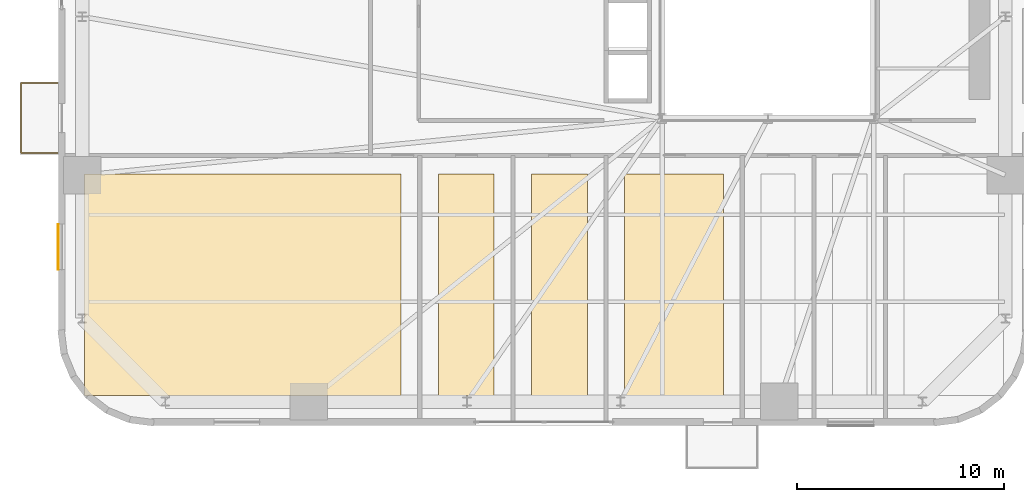
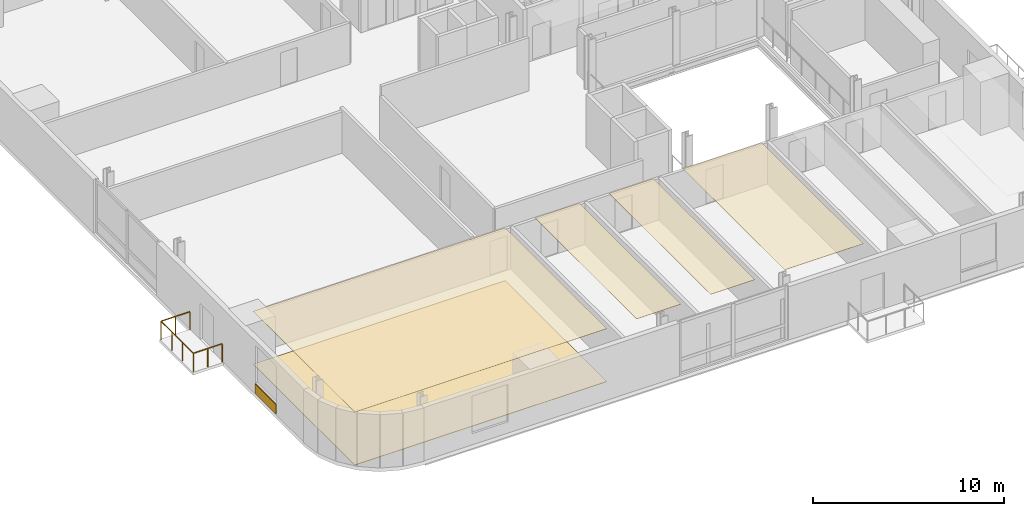
# One storey, part 10 of 13: 6 coverings, 1 railing.
"""IFC4 building model written with IfcOpenShell, lengths in metres."""

from ifc_helpers import new_model, si_unit, direction, frame, origin, origin_2d, place, context, subcontext, project, spatial, polyline, rectangle, outline, extrude, source, transform, mapped, material, layer, layer_set, type_object, element, save


model = new_model("IFC4")

# Units and contexts
model_context = context("Model", 3, precision=1e-05, world=origin(), true_north=direction((0.0, 1.0)))
body_context = subcontext(model_context, "Body", "Model", "MODEL_VIEW")
ifc_project = project(units=[si_unit("LENGTHUNIT", "METRE"), si_unit("AREAUNIT", "SQUARE_METRE"), si_unit("VOLUMEUNIT", "CUBIC_METRE"), si_unit("PLANEANGLEUNIT", "RADIAN"), si_unit("MASSUNIT", "GRAM", prefix="KILO")], contexts=[model_context])

# Site, building, storey
site_placement = place(None, origin())
site = spatial("IfcSite", under=ifc_project, at=site_placement, CompositionType="ELEMENT")
building_placement = place(site_placement, origin())
building = spatial("IfcBuilding", under=site, at=building_placement, Name="Vardaveli Station Tower", CompositionType="ELEMENT")
storey_placement = place(building_placement, frame((0.0, 0.0, 82.35009765625)))
storey = spatial("IfcBuildingStorey", under=building, at=storey_placement, Name="L21", CompositionType="ELEMENT", Elevation=82.35009765625)

# Coverings
ifc_material_1 = material(Name="Perforated acoustic mineral ceiling")
ifc_layer_1 = layer(ifc_material_1, 0.02001953125, Name="Perforated acoustic mineral ceiling")
ifc_layer_set_1 = layer_set([ifc_layer_1], Name="Perforated acoustic mineral ceiling")
covering_type_1 = type_object("IfcCoveringType", Name="COV-CEIL-AC20", PredefinedType="CEILING", material=ifc_layer_set_1)
covering_1_placement = place(storey_placement, frame((0.0, 0.0, 3.39501953125)))
element("IfcCovering", 1, at=covering_1_placement, inside=storey, type_object=covering_type_1, Name="CEIL-L21-1", PredefinedType="CEILING", context=body_context, shape_type="SweptSolid", body=[
    extrude(outline(polyline([(3.35009765625, 3.25), (18.6201171875, 3.25), (18.6201171875, 13.909912109375), (3.35009765625, 13.909912109375), (3.35009765625, 3.25)])), origin(), (0.0, 0.0, 1.0), 0.019775390625),
])
covering_2_placement = place(storey_placement, frame((0.0, 0.0, 3.39501953125)))
element("IfcCovering", 2, at=covering_2_placement, inside=storey, type_object=covering_type_1, Name="CEIL-L21-2", PredefinedType="CEILING", context=body_context, shape_type="SweptSolid", body=[
    extrude(outline(polyline([(20.419921875, 3.25), (23.10888671875, 3.25), (23.10888671875, 13.909912109375), (20.419921875, 13.909912109375), (20.419921875, 3.25)])), origin(), (0.0, 0.0, 1.0), 0.019775390625),
])
covering_3_placement = place(storey_placement, frame((0.0, 0.0, 3.39501953125)))
element("IfcCovering", 3, at=covering_3_placement, inside=storey, type_object=covering_type_1, Name="CEIL-L21-3", PredefinedType="CEILING", context=body_context, shape_type="SweptSolid", body=[
    extrude(outline(polyline([(24.908935546875, 3.25), (27.59765625, 3.25), (27.59765625, 13.909912109375), (24.908935546875, 13.909912109375), (24.908935546875, 3.25)])), origin(), (0.0, 0.0, 1.0), 0.019775390625),
])
covering_4_placement = place(storey_placement, frame((0.0, 0.0, 3.39501953125)))
element("IfcCovering", 4, at=covering_4_placement, inside=storey, type_object=covering_type_1, Name="CEIL-L21-4", PredefinedType="CEILING", context=body_context, shape_type="SweptSolid", body=[
    extrude(outline(polyline([(29.397705078125, 3.25), (34.164306640625, 3.25), (34.164306640625, 13.909912109375), (29.397705078125, 13.909912109375), (29.397705078125, 3.25)])), origin(), (0.0, 0.0, 1.0), 0.019775390625),
])
ifc_material_2 = material(Name="Honed Caucasian basalt and travertine flooring", Category="masonry")
ifc_layer_2 = layer(ifc_material_2, 0.030029296875, Name="Honed Caucasian basalt and travertine flooring")
ifc_layer_set_2 = layer_set([ifc_layer_2], Name="Honed Caucasian basalt and travertine flooring")
covering_type_2 = type_object("IfcCoveringType", Name="COV-FLOOR-ST30", PredefinedType="FLOORING", material=ifc_layer_set_2)
covering_5_placement = place(storey_placement, origin())
element("IfcCovering", 5, at=covering_5_placement, inside=storey, type_object=covering_type_2, Name="FLR-L21-1", PredefinedType="FLOORING", context=body_context, shape_type="SweptSolid", body=[
    extrude(outline(polyline([(3.35009765625, 3.25), (18.6201171875, 3.25), (18.6201171875, 13.909912109375), (3.35009765625, 13.909912109375), (3.35009765625, 3.25)])), origin(), (0.0, 0.0, 1.0), 0.02978515625),
])
ifc_material_3 = material(Name="Ventilated honed travertine stone cladding", Category="masonry")
ifc_layer_3 = layer(ifc_material_3, 0.044921875, Name="Ventilated honed travertine stone cladding")
ifc_layer_set_3 = layer_set([ifc_layer_3], Name="Ventilated honed travertine stone cladding")
covering_type_3 = type_object("IfcCoveringType", Name="COV-CLAD-TR45", PredefinedType="CLADDING", material=ifc_layer_set_3)
shared_shape_1 = source(origin(), body_context, "Body", "SweptSolid", [
    extrude(rectangle(XDim=2.199951171875, YDim=0.044921875, at=origin_2d()), origin(), (0.0, 0.0, 1.0), 0.6201171875),
])
covering_6_placement = place(storey_placement, frame((2.08544921875, 10.405029296875, 0.06982421875), z_axis=(0.0, 0.0, 1.0), x_axis=(0.0, 1.0, 0.0)))
element("IfcCovering", 6, at=covering_6_placement, inside=storey, type_object=covering_type_3, Name="CLD-TR-L21-W", PredefinedType="CLADDING", context=body_context, shape_type="MappedRepresentation", body=[
    mapped(shared_shape_1, transform((0.0, 0.0, 0.0), scale=1.0)),
])

# Railing
ifc_material_4 = material(Name="Laminated glass and stainless steel balustrade", Category="steel")
railing_type = type_object("IfcRailingType", Name="RL-BAL-1200", PredefinedType="BALUSTRADE", material=ifc_material_4)
shared_shape_2 = source(origin(), body_context, "Body", "SweptSolid", [
    extrude(rectangle(XDim=0.048095703125, YDim=0.048095703125, at=origin_2d()), frame((0.0, 0.0, 1.17578125), z_axis=(-1.0, 0.0, 0.0), x_axis=(0.0, -1.0, 0.0)), (0.0, 0.0, 1.0), 1.75),
    extrude(rectangle(XDim=0.048095703125, YDim=0.048095703125, at=origin_2d()), frame((-1.75, 0.0, 1.17578125), z_axis=(0.0, 1.0, 0.0), x_axis=(-1.0, 0.0, 0.0)), (0.0, 0.0, 1.0), 3.3798828125),
    extrude(rectangle(XDim=0.048095703125, YDim=0.048095703125, at=origin_2d()), frame((-1.75, 3.3798828125, 1.17578125), z_axis=(1.0, 0.0, 0.0), x_axis=(0.0, 1.0, 0.0)), (0.0, 0.0, 1.0), 1.75),
    extrude(rectangle(XDim=0.0419921875, YDim=0.0419921875, at=origin_2d()), origin(), (0.0, 0.0, 1.0), 1.15185546875),
    extrude(rectangle(XDim=0.0419921875, YDim=0.0419921875, at=origin_2d()), frame((-0.875, 0.0, 0.0)), (0.0, 0.0, 1.0), 1.15185546875),
    extrude(rectangle(XDim=0.0419921875, YDim=0.0419921875, at=origin_2d()), frame((-1.75, 0.0, 0.0)), (0.0, 0.0, 1.0), 1.15185546875),
    extrude(rectangle(XDim=0.0419921875, YDim=0.0419921875, at=origin_2d()), frame((-1.75, 1.126708984375, 0.0)), (0.0, 0.0, 1.0), 1.15185546875),
    extrude(rectangle(XDim=0.0419921875, YDim=0.0419921875, at=origin_2d()), frame((-1.75, 2.253173828125, 0.0)), (0.0, 0.0, 1.0), 1.15185546875),
    extrude(rectangle(XDim=0.0419921875, YDim=0.0419921875, at=origin_2d()), frame((-1.75, 3.3798828125, 0.0)), (0.0, 0.0, 1.0), 1.15185546875),
    extrude(rectangle(XDim=0.0419921875, YDim=0.0419921875, at=origin_2d()), frame((-0.875, 3.3798828125, 0.0)), (0.0, 0.0, 1.0), 1.15185546875),
    extrude(rectangle(XDim=0.0419921875, YDim=0.0419921875, at=origin_2d()), frame((0.0, 3.3798828125, 0.0)), (0.0, 0.0, 1.0), 1.15185546875),
])
railing_placement = place(storey_placement, frame((2.06005859375, 14.92041015625, 0.0)))
element("IfcRailing", 7, at=railing_placement, inside=storey, type_object=railing_type, Name="RL-LOG-L21-03", PredefinedType="BALUSTRADE", context=body_context, shape_type="MappedRepresentation", body=[
    mapped(shared_shape_2, transform((0.0, 0.0, 0.0), scale=1.0)),
])

save(model, "model.ifc")
